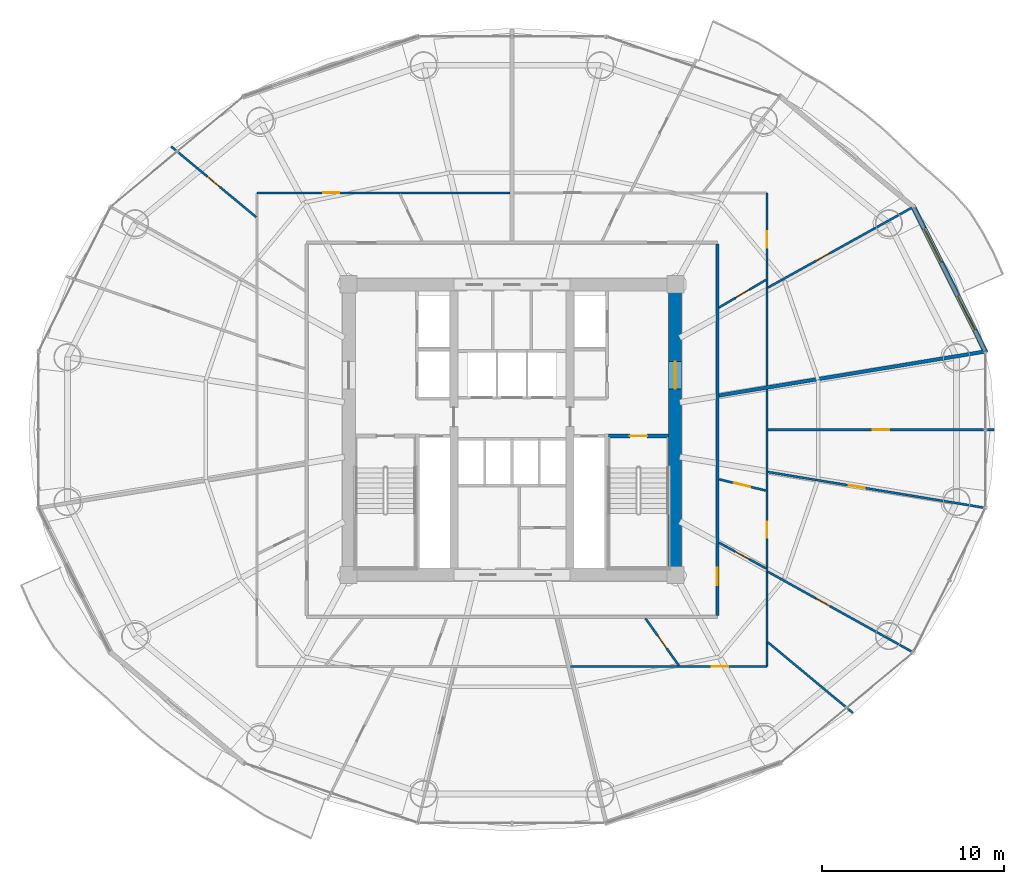
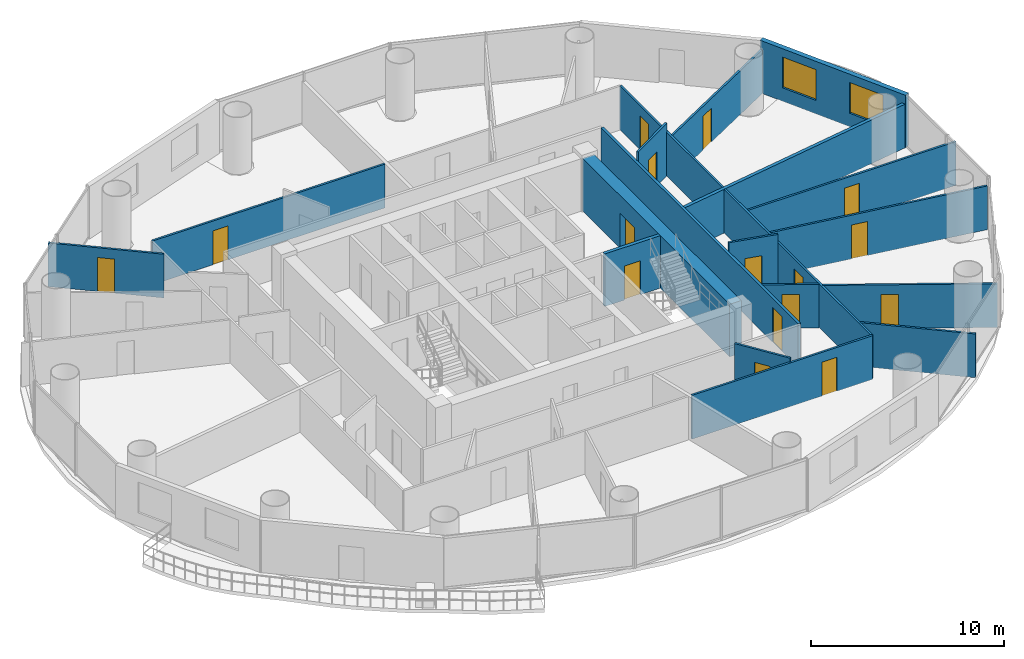
# One storey, part 24 of 29: 19 walls, 16 doors, 2 windows, 18 openings.
"""IFC4 building model written with IfcOpenShell, lengths in metres."""

import ifcopenshell
import ifcopenshell.guid

model = None  # the IFC model being written
_history = None  # IfcOwnerHistory: only IFC2X3 demands one
_inside = {}  # id of a spatial element -> (the spatial element, [elements in it])
_under = {}  # id of a project, library or spatial element -> (it, [spatial elements below it])
_declared = {}  # id of a project -> (the project, [libraries it declares])
_typed = {}  # id of a type object -> (the type object, [elements of that type])
_made_of = {}  # id of a material, layer set ... -> (it, [elements and type objects made of it])


def new_model(schema):
    """Start an empty IFC model of exactly this schema.

    Asked for "IFC4X3", IfcOpenShell would pick the latest addendum, in which some entities
    have other attributes; the version numbers below select the first issue.
    IFC2X3 requires an IfcOwnerHistory on every rooted entity: one is made here for all.
    """
    global model, _history
    if schema == "IFC4X3":
        model = ifcopenshell.file(schema_version=(4, 3, 0, 0))
    else:
        model = ifcopenshell.file(schema=schema)
    _inside.clear()
    _under.clear()
    _declared.clear()
    _typed.clear()
    _made_of.clear()
    _history = None
    if model.schema == "IFC2X3":
        org = make("IfcOrganization", Name="unknown")
        user = make(
            "IfcPersonAndOrganization",
            ThePerson=make("IfcPerson", FamilyName="unknown"),
            TheOrganization=org,
        )
        app = make(
            "IfcApplication",
            ApplicationDeveloper=org,
            Version="unknown",
            ApplicationFullName="unknown",
            ApplicationIdentifier="unknown",
        )
        _history = make(
            "IfcOwnerHistory",
            OwningUser=user,
            OwningApplication=app,
            ChangeAction="ADDED",
            CreationDate=0,
        )
    return model


def make(cls, **values):
    """One entity of the class cls with the attributes given. An attribute that is None is left unset."""
    return model.create_entity(
        cls, **{name: value for name, value in values.items() if value is not None}
    )


def rooted(cls, **values):
    """An entity with a GlobalId (a new one), such as an element, a storey or a relation."""
    return make(cls, GlobalId=ifcopenshell.guid.new(), OwnerHistory=_history, **values)


def si_unit(unit_type, name, prefix=None):
    """IfcSIUnit, for example si_unit("LENGTHUNIT", "METRE", prefix="MILLI")."""
    return make("IfcSIUnit", UnitType=unit_type, Prefix=prefix, Name=name)


def assignment(units):
    """IfcUnitAssignment: the units of a project."""
    return None if units is None else make("IfcUnitAssignment", Units=units)


def point(xyz):
    """IfcCartesianPoint."""
    return None if xyz is None else make("IfcCartesianPoint", Coordinates=xyz)


def direction(xyz):
    """IfcDirection."""
    return None if xyz is None else make("IfcDirection", DirectionRatios=xyz)


def frame(location, z_axis=None, x_axis=None):
    """IfcAxis2Placement3D, a coordinate frame: its origin and axes. An axis left out is left unset."""
    return make(
        "IfcAxis2Placement3D",
        Location=point(location),
        Axis=direction(z_axis),
        RefDirection=direction(x_axis),
    )


def frame_2d(location, x_axis=None):
    """IfcAxis2Placement2D, a coordinate frame in the plane: its origin and x axis."""
    return make(
        "IfcAxis2Placement2D", Location=point(location), RefDirection=direction(x_axis)
    )


def origin():
    """The frame at (0, 0, 0) with its axes left unset."""
    return frame((0.0, 0.0, 0.0))


def place(relative_to, where):
    """IfcLocalPlacement: puts the frame where relative to a parent placement (None: the world)."""
    return make(
        "IfcLocalPlacement", PlacementRelTo=relative_to, RelativePlacement=where
    )


def context(
    kind, dimensions, precision=None, world=None, true_north=None, identifier=None
):
    """IfcGeometricRepresentationContext, for example the 3D "Model" context."""
    return make(
        "IfcGeometricRepresentationContext",
        ContextIdentifier=identifier,
        ContextType=kind,
        CoordinateSpaceDimension=dimensions,
        Precision=precision,
        WorldCoordinateSystem=world,
        TrueNorth=true_north,
    )


def subcontext(parent, identifier, kind, view, scale=None):
    """IfcGeometricRepresentationSubContext, for example "Body" below "Model"."""
    return make(
        "IfcGeometricRepresentationSubContext",
        ContextIdentifier=identifier,
        ContextType=kind,
        ParentContext=parent,
        TargetScale=scale,
        TargetView=view,
    )


def project(units=None, contexts=None):
    """IfcProject with its units and contexts."""
    return rooted(
        "IfcProject",
        Name="project",
        RepresentationContexts=contexts,
        UnitsInContext=assignment(units),
    )


def spatial(cls, under=None, at=None, **own):
    """A site, building, storey or space (cls), placed at a placement, below another one or the project."""
    s = rooted(cls, ObjectPlacement=at, **own)
    if under is not None:
        _under.setdefault(under.id(), (under, []))[1].append(s)
    return s


def profile(cls, at=None, kind="AREA", **sizes):
    """A parametric profile (cls). Its sizes go by their IFC names, for example OverallWidth=200.0."""
    return make(cls, ProfileType=kind, Position=at, **sizes)


def rectangle(**sizes):
    """IfcRectangleProfileDef."""
    return profile("IfcRectangleProfileDef", **sizes)


def extrude(swept, where, along, depth):
    """IfcExtrudedAreaSolid: the profile swept, set in the frame where, extruded along a direction by depth."""
    return make(
        "IfcExtrudedAreaSolid",
        SweptArea=swept,
        Position=where,
        ExtrudedDirection=direction(along),
        Depth=depth,
    )


def shape(context_of_items, identifier, shape_type, items):
    """IfcShapeRepresentation: the items that make up one representation, for example the "Body"."""
    return make(
        "IfcShapeRepresentation",
        ContextOfItems=context_of_items,
        RepresentationIdentifier=identifier,
        RepresentationType=shape_type,
        Items=items,
    )


def source(mapping_origin, context_of_items, identifier, shape_type, items):
    """IfcRepresentationMap: a shape defined once, which mapped items show again and again."""
    return make(
        "IfcRepresentationMap",
        MappingOrigin=mapping_origin,
        MappedRepresentation=shape(context_of_items, identifier, shape_type, items),
    )


def transform(
    local_origin,
    x_axis=None,
    y_axis=None,
    z_axis=None,
    scale=None,
    scale2=None,
    scale3=None,
    uniform=True,
):
    """IfcCartesianTransformationOperator3D, or its non-uniform kind. x_axis, y_axis, z_axis: its Axis1, 2, 3."""
    if uniform:
        return make(
            "IfcCartesianTransformationOperator3D",
            Axis1=direction(x_axis),
            Axis2=direction(y_axis),
            LocalOrigin=point(local_origin),
            Scale=scale,
            Axis3=direction(z_axis),
        )
    return make(
        "IfcCartesianTransformationOperator3DnonUniform",
        Axis1=direction(x_axis),
        Axis2=direction(y_axis),
        LocalOrigin=point(local_origin),
        Scale=scale,
        Axis3=direction(z_axis),
        Scale2=scale2,
        Scale3=scale3,
    )


def mapped(mapping_source, mapping_target):
    """IfcMappedItem: shows the shape of a source again, moved by a transform."""
    return make(
        "IfcMappedItem", MappingSource=mapping_source, MappingTarget=mapping_target
    )


def material(Name=None, Category=None):
    """IfcMaterial."""
    return make("IfcMaterial", Name=Name, Category=Category)


def layer(
    of_material, thickness, ventilated=None, Name=None, Category=None, Priority=None
):
    """IfcMaterialLayer: one layer of a wall or slab, of a material (None: an air gap)."""
    return make(
        "IfcMaterialLayer",
        Material=of_material,
        LayerThickness=thickness,
        IsVentilated=ventilated,
        Name=Name,
        Category=Category,
        Priority=Priority,
    )


def layer_set(layers, Name=None):
    """IfcMaterialLayerSet."""
    return make("IfcMaterialLayerSet", MaterialLayers=layers, LayerSetName=Name)


def made_of(thing, what):
    """Note that an element or type object is made of a material, layer set ...; save() writes the relation."""
    if what is not None:
        _made_of.setdefault(what.id(), (what, []))[1].append(thing)
    return thing


def type_object(cls, material=None, **own):
    """A type object (cls), such as IfcWallType, which elements share."""
    return made_of(rooted(cls, **own), material)


def element(
    cls,
    number,
    at=None,
    inside=None,
    cuts=None,
    type_object=None,
    material=None,
    context=None,
    identifier="Body",
    shape_type=None,
    held_by="IfcProductDefinitionShape",
    body=None,
    shapes=None,
    **own,
):
    """One element of the class cls, such as IfcWall. Its Tag is "e" and its number.

    at: its placement. inside: the storey or other place that contains it. cuts: it is an
    opening in that element (IfcRelVoidsElement). A single representation is given by context,
    identifier, shape_type and body (its items); several are given by shapes. held_by: the class
    of the entity that holds the representations. save() writes the other relations.
    """
    e = rooted(cls, Tag="e%d" % number, ObjectPlacement=at, **own)
    if body is not None:
        shapes = [shape(context, identifier, shape_type, body)]
    if shapes is not None:
        e.Representation = make(held_by, Representations=shapes)
    if inside is not None:
        _inside.setdefault(inside.id(), (inside, []))[1].append(e)
    if cuts is not None:
        rooted(
            "IfcRelVoidsElement", RelatingBuildingElement=cuts, RelatedOpeningElement=e
        )
    if type_object is not None:
        _typed.setdefault(type_object.id(), (type_object, []))[1].append(e)
    return made_of(e, material)


def fill(opening, filler):
    """IfcRelFillsElement: the door or window that sits in an opening."""
    return rooted(
        "IfcRelFillsElement",
        RelatingOpeningElement=opening,
        RelatedBuildingElement=filler,
    )


def aggregate(whole, parts):
    """IfcRelAggregates: a whole, such as a stair, and the parts it consists of."""
    return rooted("IfcRelAggregates", RelatingObject=whole, RelatedObjects=parts)


def save(model, path):
    """Write the relations noted so far, then the file.

    IfcRelAggregates (storeys below a building ...), IfcRelContainedInSpatialStructure (elements
    in a storey), IfcRelDefinesByType, IfcRelAssociatesMaterial and IfcRelDeclares: one each for
    every whole, place, type object, material and project.
    """
    for whole, parts in _under.values():
        aggregate(whole, parts)
    for where, things in _inside.values():
        rooted(
            "IfcRelContainedInSpatialStructure",
            RelatedElements=things,
            RelatingStructure=where,
        )
    for kind, things in _typed.values():
        rooted("IfcRelDefinesByType", RelatedObjects=things, RelatingType=kind)
    for what, things in _made_of.values():
        rooted("IfcRelAssociatesMaterial", RelatedObjects=things, RelatingMaterial=what)
    for by, libraries in _declared.values():
        rooted("IfcRelDeclares", RelatingContext=by, RelatedDefinitions=libraries)
    model.write(path)


model = new_model("IFC4")

# Units and contexts
model_context = context("Model", 3, precision=1e-05, world=origin(), true_north=direction((-0.2419218956, 0.970295726276)))
body_context = subcontext(model_context, "Body", "Model", "MODEL_VIEW")
ifc_project = project(units=[si_unit("LENGTHUNIT", "METRE"), si_unit("AREAUNIT", "SQUARE_METRE"), si_unit("VOLUMEUNIT", "CUBIC_METRE"), si_unit("PLANEANGLEUNIT", "RADIAN"), si_unit("MASSUNIT", "GRAM", prefix="KILO")], contexts=[model_context])

# Site, building, storey
site_placement = place(None, origin())
site = spatial("IfcSite", under=ifc_project, at=site_placement, CompositionType="ELEMENT")
building_placement = place(site_placement, origin())
building = spatial("IfcBuilding", under=site, at=building_placement, Name="Cobrevalo Terracotta Tower", CompositionType="ELEMENT")
storey_placement = place(building_placement, frame((0.0, 0.0, 83.39990234375)))
storey = spatial("IfcBuildingStorey", under=building, at=storey_placement, Name="L21", CompositionType="ELEMENT", Elevation=83.39990234375)

# Wall, opening, door
ifc_material_1 = material(Name="Concrete C60", Category="concrete")
ifc_layer_1 = layer(ifc_material_1, 0.699951171875)
ifc_layer_set_1 = layer_set([ifc_layer_1], Name="Concrete C60")
wall_type_1 = type_object("IfcWallType", Name="Core shear wall 700 mm Concrete C60", PredefinedType="SHEAR", material=ifc_layer_set_1)
wall_1_placement = place(storey_placement, frame((46.97509765625, 19.175048828125, 0.0), z_axis=(0.0, 0.0, 1.0), x_axis=(0.0, 1.0, 0.0)))
wall_1 = element("IfcWall", 1, at=wall_1_placement, inside=storey, type_object=wall_type_1, Name="L21 east core shear wall", PredefinedType="SHEAR", context=body_context, shape_type="SweptSolid", body=[
    extrude(rectangle(XDim=15.25, YDim=0.699951171875, at=frame_2d((7.625, 0.0))), origin(), (0.0, 0.0, 1.0), 3.3251953125),
])
opening_1_placement = place(wall_1_placement, frame((9.875, 0.0, 0.0)))
opening_1 = element("IfcOpeningElement", 2, at=opening_1_placement, cuts=wall_1, Name="Opening ID-14", PredefinedType="OPENING", context=body_context, shape_type="SweptSolid", body=[
    extrude(rectangle(XDim=1.5, YDim=2.199951171875, at=frame_2d((0.75, 1.10009765625))), frame((0.0, 0.35986328125, 0.0), z_axis=(0.0, -1.0, 0.0), x_axis=(1.0, 0.0, 0.0)), (0.0, 0.0, 1.0), 0.719970703125),
])
ifc_material_2 = material(Name="Galvanized fire-rated steel", Category="steel")
door_type_1 = type_object("IfcDoorType", Name="Core cross-lobby double fire door 1500x2200 EI 90", OperationType="NOTDEFINED", PredefinedType="DOOR", material=ifc_material_2)
shared_shape_1 = source(origin(), body_context, "Body", "SweptSolid", [
    extrude(rectangle(XDim=1.5, YDim=2.199951171875, at=frame_2d((0.75, 1.10009765625))), frame((0.0, 0.02490234375, 0.0), z_axis=(0.0, -1.0, 0.0), x_axis=(1.0, 0.0, 0.0)), (0.0, 0.0, 1.0), 0.050048828125),
])
door_1_placement = place(opening_1_placement, frame((1.5, 0.0, 0.0), z_axis=(0.0, 0.0, 1.0), x_axis=(-1.0, 0.0, 0.0)))
door_1 = element("IfcDoor", 3, at=door_1_placement, inside=storey, type_object=door_type_1, Name="L21 east firefighting lobby entrance door", OperationType="DOUBLE_DOOR_SINGLE_SWING", OverallHeight=2.199951171875, OverallWidth=1.5, PredefinedType="DOOR", context=body_context, shape_type="MappedRepresentation", body=[
    mapped(shared_shape_1, transform((0.0, 0.0, 0.0), scale=1.0)),
])
fill(opening_1, door_1)

ifc_material_3 = material(Name="Gypsum board on steel stud", Category="steel")
ifc_layer_2 = layer(ifc_material_3, 0.159912109375)
ifc_layer_set_2 = layer_set([ifc_layer_2], Name="Gypsum board on steel stud")
wall_type_2 = type_object("IfcWallType", Name="Fire-rated corridor acoustic partition wall 160 mm", PredefinedType="PARTITIONING", material=ifc_layer_set_2)
wall_2_placement = place(storey_placement, frame((49.304931640625, 16.574951171875, 0.0), z_axis=(0.0, 0.0, 1.0), x_axis=(0.0, 1.0, 0.0)))
wall_2 = element("IfcWall", 4, at=wall_2_placement, inside=storey, type_object=wall_type_2, Name="L21 interior partition IW-L21-COR-E", PredefinedType="PARTITIONING", context=body_context, shape_type="SweptSolid", body=[
    extrude(rectangle(XDim=20.449951171875, YDim=0.159912109375, at=frame_2d((10.22509765625, 0.0))), origin(), (0.0, 0.0, 1.0), 2.76708984375),
])
opening_2_placement = place(wall_2_placement, frame((1.64892578125, 0.0, 0.0)))
opening_2 = element("IfcOpeningElement", 5, at=opening_2_placement, cuts=wall_2, Name="Opening ID-05", PredefinedType="OPENING", context=body_context, shape_type="SweptSolid", body=[
    extrude(rectangle(XDim=0.97998046875, YDim=2.199951171875, at=frame_2d((0.489990234375, 1.10009765625))), frame((0.0, 0.08984375, 0.0), z_axis=(0.0, -1.0, 0.0), x_axis=(1.0, 0.0, 0.0)), (0.0, 0.0, 1.0), 0.179931640625),
])
ifc_material_4 = material(Name="Solid hardwood timber", Category="wood")
door_type_2 = type_object("IfcDoorType", Name="Residence entrance fire-rated acoustic timber door 980x2200 EI 60", OperationType="NOTDEFINED", PredefinedType="DOOR", material=ifc_material_4)
shared_shape_2 = source(origin(), body_context, "Body", "SweptSolid", [
    extrude(rectangle(XDim=0.97998046875, YDim=2.199951171875, at=frame_2d((0.489990234375, 1.10009765625))), frame((0.0, 0.02490234375, 0.0), z_axis=(0.0, -1.0, 0.0), x_axis=(1.0, 0.0, 0.0)), (0.0, 0.0, 1.0), 0.050048828125),
])
door_2_placement = place(opening_2_placement, frame((0.97998046875, 0.0, 0.0), z_axis=(0.0, 0.0, 1.0), x_axis=(-1.0, 0.0, 0.0)))
door_2 = element("IfcDoor", 6, at=door_2_placement, inside=storey, type_object=door_type_2, Name="Flat L21D fire-rated apartment entrance door", OperationType="SINGLE_SWING_RIGHT", OverallHeight=2.199951171875, OverallWidth=0.97998046875, PredefinedType="DOOR", context=body_context, shape_type="MappedRepresentation", body=[
    mapped(shared_shape_2, transform((0.0, 0.0, 0.0), scale=1.0)),
])
fill(opening_2, door_2)

# Wall
ifc_material_5 = material(Name="Autoclaved aerated concrete block", Category="concrete")
ifc_layer_3 = layer(ifc_material_5, 0.199951171875)
ifc_layer_set_3 = layer_set([ifc_layer_3], Name="Autoclaved aerated concrete block")
wall_type_3 = type_object("IfcWallType", Name="Fire-rated stair, shaft & demising masonry wall 200 mm", PredefinedType="PARTITIONING", material=ifc_layer_set_3)
wall_3_placement = place(storey_placement, frame((49.386962890625, 28.681884765625, 0.0), z_axis=(0.0, 0.0, 1.0), x_axis=(0.986617934215, 0.163049231479, 0.0)))
element("IfcWall", 7, at=wall_3_placement, inside=storey, type_object=wall_type_3, Name="L21 interior partition IW-L21-DEM-1", PredefinedType="PARTITIONING", context=body_context, shape_type="SweptSolid", body=[
    extrude(rectangle(XDim=14.78466796875, YDim=0.199951171875, at=frame_2d((7.392333984375, 0.0))), origin(), (0.0, 0.0, 1.0), 2.76708984375),
])

# Wall, openings, windows
ifc_layer_4 = layer(ifc_material_5, 0.280029296875)
ifc_layer_set_4 = layer_set([ifc_layer_4], Name="Autoclaved aerated concrete block")
wall_type_4 = type_object("IfcWallType", Name="Insulated tower spandrel & pier wall 280 mm with terracotta rainscreen", PredefinedType="SOLIDWALL", material=ifc_layer_set_4)
wall_4_placement = place(storey_placement, frame((64.09521484375, 31.033935546875, 0.0), z_axis=(0.0, 0.0, 1.0), x_axis=(-0.446263788661, 0.894901464369, 0.0)))
wall_4 = element("IfcWall", 8, at=wall_4_placement, inside=storey, type_object=wall_type_4, Name="L21 terracotta rainscreen pier wall S01", PredefinedType="SOLIDWALL", context=body_context, shape_type="SweptSolid", body=[
    extrude(rectangle(XDim=9.05029296875, YDim=0.280029296875, at=frame_2d((4.525146484375, 0.0))), origin(), (0.0, 0.0, 1.0), 3.3251953125),
])
opening_3_placement = place(wall_4_placement, frame((1.3935546875, 0.0, 0.85009765625)))
opening_3 = element("IfcOpeningElement", 9, at=opening_3_placement, cuts=wall_4, Name="Opening WN-10", PredefinedType="OPENING", context=body_context, shape_type="SweptSolid", body=[
    extrude(rectangle(XDim=2.10009765625, YDim=1.949951171875, at=frame_2d((1.050048828125, 0.97509765625))), frame((0.0, 0.14990234375, 0.0), z_axis=(0.0, -1.0, 0.0), x_axis=(1.0, 0.0, 0.0)), (0.0, 0.0, 1.0), 0.300048828125),
])
opening_4_placement = place(wall_4_placement, frame((5.556640625, 0.0, 0.85009765625)))
opening_4 = element("IfcOpeningElement", 10, at=opening_4_placement, cuts=wall_4, Name="Opening WN-10", PredefinedType="OPENING", context=body_context, shape_type="SweptSolid", body=[
    extrude(rectangle(XDim=2.10009765625, YDim=1.949951171875, at=frame_2d((1.050048828125, 0.97509765625))), frame((0.0, 0.14990234375, 0.0), z_axis=(0.0, -1.0, 0.0), x_axis=(1.0, 0.0, 0.0)), (0.0, 0.0, 1.0), 0.300048828125),
])
ifc_material_6 = material(Name="Solar-control low-E double glazing", Category="glass")
window_type = type_object("IfcWindowType", Name="Wide panoramic low-E aluminium window 2100x1950", PartitioningType="SINGLE_PANEL", PredefinedType="WINDOW", material=ifc_material_6)
shared_shape_3 = source(origin(), body_context, "Body", "SweptSolid", [
    extrude(rectangle(XDim=2.10009765625, YDim=1.949951171875, at=frame_2d((1.050048828125, 0.97509765625))), frame((0.0, 0.030029296875, 0.0), z_axis=(0.0, -1.0, 0.0), x_axis=(1.0, 0.0, 0.0)), (0.0, 0.0, 1.0), 0.06005859375),
])
window_1_placement = place(opening_3_placement, origin())
window_1 = element("IfcWindow", 11, at=window_1_placement, inside=storey, type_object=window_type, Name="L21 suite window S01A", OverallHeight=1.949951171875, OverallWidth=2.10009765625, PartitioningType="SINGLE_PANEL", PredefinedType="WINDOW", context=body_context, shape_type="MappedRepresentation", body=[
    mapped(shared_shape_3, transform((0.0, 0.0, 0.0), scale=1.0)),
])
fill(opening_3, window_1)
window_2_placement = place(opening_4_placement, origin())
window_2 = element("IfcWindow", 12, at=window_2_placement, inside=storey, type_object=window_type, Name="L21 suite window S01B", OverallHeight=1.949951171875, OverallWidth=2.10009765625, PartitioningType="SINGLE_PANEL", PredefinedType="WINDOW", context=body_context, shape_type="MappedRepresentation", body=[
    mapped(shared_shape_3, transform((0.0, 0.0, 0.0), scale=1.0)),
])
fill(opening_4, window_2)

# Wall, opening, door
ifc_layer_5 = layer(ifc_material_3, 0.1201171875)
ifc_layer_set_5 = layer_set([ifc_layer_5], Name="Gypsum board on steel stud")
wall_type_5 = type_object("IfcWallType", Name="Residential internal acoustic stud partition 120 mm", PredefinedType="PARTITIONING", material=ifc_layer_set_5)
wall_5_placement = place(storey_placement, frame((52.034912109375, 39.8349609375, 0.0), z_axis=(0.0, 0.0, 1.0), x_axis=(0.0, -1.0, 0.0)))
wall_5 = element("IfcWall", 13, at=wall_5_placement, inside=storey, type_object=wall_type_5, Name="L21 interior partition IW-L21-U1-RING1_0", PredefinedType="PARTITIONING", context=body_context, shape_type="SweptSolid", body=[
    extrude(rectangle(XDim=10.613525390625, YDim=0.1201171875, at=frame_2d((5.306640625, 0.0))), origin(), (0.0, 0.0, 1.0), 2.76708984375),
])
opening_5_placement = place(wall_5_placement, frame((2.107421875, 0.0, 0.0)))
opening_5 = element("IfcOpeningElement", 14, at=opening_5_placement, cuts=wall_5, Name="Opening ID-12", PredefinedType="OPENING", context=body_context, shape_type="SweptSolid", body=[
    extrude(rectangle(XDim=0.89990234375, YDim=2.14990234375, at=frame_2d((0.449951171875, 1.074951171875))), frame((0.0, 0.070068359375, 0.0), z_axis=(0.0, -1.0, 0.0), x_axis=(1.0, 0.0, 0.0)), (0.0, 0.0, 1.0), 0.14013671875),
])
ifc_material_7 = material(Name="Engineered timber", Category="wood")
door_type_3 = type_object("IfcDoorType", Name="Internal residence & suite timber door 900x2150", OperationType="NOTDEFINED", PredefinedType="DOOR", material=ifc_material_7)
shared_shape_4 = source(origin(), body_context, "Body", "SweptSolid", [
    extrude(rectangle(XDim=0.89990234375, YDim=2.14990234375, at=frame_2d((0.449951171875, 1.074951171875))), frame((0.0, 0.02490234375, 0.0), z_axis=(0.0, -1.0, 0.0), x_axis=(1.0, 0.0, 0.0)), (0.0, 0.0, 1.0), 0.050048828125),
])
door_3_placement = place(opening_5_placement, origin())
door_3 = element("IfcDoor", 15, at=door_3_placement, inside=storey, type_object=door_type_3, Name="Flat L21A Master Bedroom internal door", OperationType="SINGLE_SWING_RIGHT", OverallHeight=2.14990234375, OverallWidth=0.89990234375, PredefinedType="DOOR", context=body_context, shape_type="MappedRepresentation", body=[
    mapped(shared_shape_4, transform((0.0, 0.0, 0.0), scale=1.0)),
])
fill(opening_5, door_3)

wall_6_placement = place(storey_placement, frame((52.089111328125, 34.62158203125, 0.0), z_axis=(0.0, 0.0, 1.0), x_axis=(0.874324904351, 0.485341077626, 0.0)))
wall_6 = element("IfcWall", 16, at=wall_6_placement, inside=storey, type_object=wall_type_5, Name="L21 interior partition IW-L21-U1-ORAD1", PredefinedType="PARTITIONING", context=body_context, shape_type="SweptSolid", body=[
    extrude(rectangle(XDim=9.065673828125, YDim=0.1201171875, at=frame_2d((4.53271484375, 0.0))), origin(), (0.0, 0.0, 1.0), 2.76708984375),
])
opening_6_placement = place(wall_6_placement, frame((3.015625, 0.0, 0.0)))
opening_6 = element("IfcOpeningElement", 17, at=opening_6_placement, cuts=wall_6, Name="Opening ID-12", PredefinedType="OPENING", context=body_context, shape_type="SweptSolid", body=[
    extrude(rectangle(XDim=0.89990234375, YDim=2.14990234375, at=frame_2d((0.449951171875, 1.074951171875))), frame((0.0, 0.070068359375, 0.0), z_axis=(0.0, -1.0, 0.0), x_axis=(1.0, 0.0, 0.0)), (0.0, 0.0, 1.0), 0.14013671875),
])
door_4_placement = place(opening_6_placement, frame((0.89990234375, 0.0, 0.0), z_axis=(0.0, 0.0, 1.0), x_axis=(-1.0, 0.0, 0.0)))
door_4 = element("IfcDoor", 18, at=door_4_placement, inside=storey, type_object=door_type_3, Name="Flat L21A Living and Dining Room internal door", OperationType="SINGLE_SWING_RIGHT", OverallHeight=2.14990234375, OverallWidth=0.89990234375, PredefinedType="DOOR", context=body_context, shape_type="MappedRepresentation", body=[
    mapped(shared_shape_4, transform((0.0, 0.0, 0.0), scale=1.0)),
])
fill(opening_6, door_4)

wall_7_placement = place(storey_placement, frame((49.38671875, 33.516845703125, 0.0), z_axis=(0.0, 0.0, 1.0), x_axis=(0.861344081849, 0.508022019862, 0.0)))
wall_7 = element("IfcWall", 19, at=wall_7_placement, inside=storey, type_object=wall_type_5, Name="L21 interior partition IW-L21-U1-IRAD1", PredefinedType="PARTITIONING", context=body_context, shape_type="SweptSolid", body=[
    extrude(rectangle(XDim=3.0126953125, YDim=0.1201171875, at=frame_2d((1.50634765625, 0.0))), origin(), (0.0, 0.0, 1.0), 3.3251953125),
])
opening_7_placement = place(wall_7_placement, frame((1.076416015625, 0.0, 0.0)))
opening_7 = element("IfcOpeningElement", 20, at=opening_7_placement, cuts=wall_7, Name="Opening ID-19", PredefinedType="OPENING", context=body_context, shape_type="SweptSolid", body=[
    extrude(rectangle(XDim=0.860107421875, YDim=2.14990234375, at=frame_2d((0.43017578125, 1.074951171875))), frame((0.0, 0.070068359375, 0.0), z_axis=(0.0, -1.0, 0.0), x_axis=(1.0, 0.0, 0.0)), (0.0, 0.0, 1.0), 0.14013671875),
])
ifc_material_8 = material(Name="Moisture-sealed timber", Category="wood")
door_type_4 = type_object("IfcDoorType", Name="Suite bathroom internal timber door 860x2150", OperationType="NOTDEFINED", PredefinedType="DOOR", material=ifc_material_8)
shared_shape_5 = source(origin(), body_context, "Body", "SweptSolid", [
    extrude(rectangle(XDim=0.860107421875, YDim=2.14990234375, at=frame_2d((0.43017578125, 1.074951171875))), frame((0.0, 0.02490234375, 0.0), z_axis=(0.0, -1.0, 0.0), x_axis=(1.0, 0.0, 0.0)), (0.0, 0.0, 1.0), 0.050048828125),
])
door_5_placement = place(opening_7_placement, frame((0.860107421875, 0.0, 0.0), z_axis=(0.0, 0.0, 1.0), x_axis=(-1.0, 0.0, 0.0)))
door_5 = element("IfcDoor", 21, at=door_5_placement, inside=storey, type_object=door_type_4, Name="Flat L21A Primary Bathroom internal door", OperationType="SINGLE_SWING_LEFT", OverallHeight=2.14990234375, OverallWidth=0.860107421875, PredefinedType="DOOR", context=body_context, shape_type="MappedRepresentation", body=[
    mapped(shared_shape_5, transform((0.0, 0.0, 0.0), scale=1.0)),
])
fill(opening_7, door_5)

wall_8_placement = place(storey_placement, frame((23.965087890625, 39.8349609375, 0.0), z_axis=(0.0, 0.0, 1.0), x_axis=(1.0, 0.0, 0.0)))
wall_8 = element("IfcWall", 22, at=wall_8_placement, inside=storey, type_object=wall_type_5, Name="L21 interior partition IW-L21-U2-RING1_0", PredefinedType="PARTITIONING", context=body_context, shape_type="SweptSolid", body=[
    extrude(rectangle(XDim=13.932861328125, YDim=0.1201171875, at=frame_2d((6.96630859375, 0.0))), origin(), (0.0, 0.0, 1.0), 2.76708984375),
])
opening_8_placement = place(wall_8_placement, frame((3.635986328125, 0.0, 0.0)))
opening_8 = element("IfcOpeningElement", 23, at=opening_8_placement, cuts=wall_8, Name="Opening ID-12", PredefinedType="OPENING", context=body_context, shape_type="SweptSolid", body=[
    extrude(rectangle(XDim=0.89990234375, YDim=2.14990234375, at=frame_2d((0.449951171875, 1.074951171875))), frame((0.0, 0.070068359375, 0.0), z_axis=(0.0, -1.0, 0.0), x_axis=(1.0, 0.0, 0.0)), (0.0, 0.0, 1.0), 0.14013671875),
])
door_6_placement = place(opening_8_placement, origin())
door_6 = element("IfcDoor", 24, at=door_6_placement, inside=storey, type_object=door_type_3, Name="Flat L21B Penthouse Living and Dining Room internal door", OperationType="SINGLE_SWING_LEFT", OverallHeight=2.14990234375, OverallWidth=0.89990234375, PredefinedType="DOOR", context=body_context, shape_type="MappedRepresentation", body=[
    mapped(shared_shape_4, transform((0.0, 0.0, 0.0), scale=1.0)),
])
fill(opening_8, door_6)

wall_9_placement = place(storey_placement, frame((23.917236328125, 38.500244140625, 0.0), z_axis=(0.0, 0.0, 1.0), x_axis=(-0.769161827891, 0.63905405289, 0.0)))
wall_9 = element("IfcWall", 25, at=wall_9_placement, inside=storey, type_object=wall_type_5, Name="L21 interior partition IW-L21-U2-ORAD1", PredefinedType="PARTITIONING", context=body_context, shape_type="SweptSolid", body=[
    extrude(rectangle(XDim=6.07958984375, YDim=0.1201171875, at=frame_2d((3.039794921875, 0.0))), origin(), (0.0, 0.0, 1.0), 2.76708984375),
])
opening_9_placement = place(wall_9_placement, frame((2.58984375, 0.0, 0.0)))
opening_9 = element("IfcOpeningElement", 26, at=opening_9_placement, cuts=wall_9, Name="Opening ID-12", PredefinedType="OPENING", context=body_context, shape_type="SweptSolid", body=[
    extrude(rectangle(XDim=0.89990234375, YDim=2.14990234375, at=frame_2d((0.449951171875, 1.074951171875))), frame((0.0, 0.070068359375, 0.0), z_axis=(0.0, -1.0, 0.0), x_axis=(1.0, 0.0, 0.0)), (0.0, 0.0, 1.0), 0.14013671875),
])
door_7_placement = place(opening_9_placement, origin())
door_7 = element("IfcDoor", 27, at=door_7_placement, inside=storey, type_object=door_type_3, Name="Flat L21B Master Bedroom internal door", OperationType="SINGLE_SWING_RIGHT", OverallHeight=2.14990234375, OverallWidth=0.89990234375, PredefinedType="DOOR", context=body_context, shape_type="MappedRepresentation", body=[
    mapped(shared_shape_4, transform((0.0, 0.0, 0.0), scale=1.0)),
])
fill(opening_9, door_7)

wall_10_placement = place(storey_placement, frame((52.034912109375, 29.017333984375, 0.0), z_axis=(0.0, 0.0, 1.0), x_axis=(0.0, -1.0, 0.0)))
wall_10 = element("IfcWall", 28, at=wall_10_placement, inside=storey, type_object=wall_type_5, Name="L21 interior partition IW-L21-U4-RING0_0", PredefinedType="PARTITIONING", context=body_context, shape_type="SweptSolid", body=[
    extrude(rectangle(XDim=15.25244140625, YDim=0.1201171875, at=frame_2d((7.626220703125, 0.0))), origin(), (0.0, 0.0, 1.0), 2.76708984375),
])
opening_10_placement = place(wall_10_placement, frame((7.2783203125, 0.0, 0.0)))
opening_10 = element("IfcOpeningElement", 29, at=opening_10_placement, cuts=wall_10, Name="Opening ID-12", PredefinedType="OPENING", context=body_context, shape_type="SweptSolid", body=[
    extrude(rectangle(XDim=0.89990234375, YDim=2.14990234375, at=frame_2d((0.449951171875, 1.074951171875))), frame((0.0, 0.070068359375, 0.0), z_axis=(0.0, -1.0, 0.0), x_axis=(1.0, 0.0, 0.0)), (0.0, 0.0, 1.0), 0.14013671875),
])
door_8_placement = place(opening_10_placement, origin())
door_8 = element("IfcDoor", 30, at=door_8_placement, inside=storey, type_object=door_type_3, Name="Flat L21D Penthouse Family Lounge internal door", OperationType="SINGLE_SWING_RIGHT", OverallHeight=2.14990234375, OverallWidth=0.89990234375, PredefinedType="DOOR", context=body_context, shape_type="MappedRepresentation", body=[
    mapped(shared_shape_4, transform((0.0, 0.0, 0.0), scale=1.0)),
])
fill(opening_10, door_8)

wall_11_placement = place(storey_placement, frame((52.034912109375, 13.764892578125, 0.0), z_axis=(0.0, 0.0, 1.0), x_axis=(-1.0, 0.0, 0.0)))
wall_11 = element("IfcWall", 31, at=wall_11_placement, inside=storey, type_object=wall_type_5, Name="L21 interior partition IW-L21-U4-RING1_0", PredefinedType="PARTITIONING", context=body_context, shape_type="SweptSolid", body=[
    extrude(rectangle(XDim=10.812255859375, YDim=0.1201171875, at=frame_2d((5.40625, 0.0))), origin(), (0.0, 0.0, 1.0), 2.76708984375),
])
opening_11_placement = place(wall_11_placement, frame((2.14453125, 0.0, 0.0)))
opening_11 = element("IfcOpeningElement", 32, at=opening_11_placement, cuts=wall_11, Name="Opening ID-12", PredefinedType="OPENING", context=body_context, shape_type="SweptSolid", body=[
    extrude(rectangle(XDim=0.89990234375, YDim=2.14990234375, at=frame_2d((0.449951171875, 1.074951171875))), frame((0.0, 0.070068359375, 0.0), z_axis=(0.0, -1.0, 0.0), x_axis=(1.0, 0.0, 0.0)), (0.0, 0.0, 1.0), 0.14013671875),
])
door_9_placement = place(opening_11_placement, origin())
door_9 = element("IfcDoor", 33, at=door_9_placement, inside=storey, type_object=door_type_3, Name="Flat L21D Penthouse Living and Dining Room internal door", OperationType="SINGLE_SWING_RIGHT", OverallHeight=2.14990234375, OverallWidth=0.89990234375, PredefinedType="DOOR", context=body_context, shape_type="MappedRepresentation", body=[
    mapped(shared_shape_4, transform((0.0, 0.0, 0.0), scale=1.0)),
])
fill(opening_11, door_9)

# Wall
wall_12_placement = place(storey_placement, frame((52.082763671875, 15.099609375, 0.0), z_axis=(0.0, 0.0, 1.0), x_axis=(0.769161827891, -0.63905405289, 0.0)))
element("IfcWall", 34, at=wall_12_placement, inside=storey, type_object=wall_type_5, Name="L21 interior partition IW-L21-U4-ORAD1", PredefinedType="PARTITIONING", context=body_context, shape_type="SweptSolid", body=[
    extrude(rectangle(XDim=6.07958984375, YDim=0.1201171875, at=frame_2d((3.039794921875, 0.0))), origin(), (0.0, 0.0, 1.0), 2.76708984375),
])

# Wall, opening, door
wall_13_placement = place(storey_placement, frame((52.089111328125, 18.978515625, 0.0), z_axis=(0.0, 0.0, 1.0), x_axis=(0.874313476423, -0.485361664066, 0.0)))
wall_13 = element("IfcWall", 35, at=wall_13_placement, inside=storey, type_object=wall_type_5, Name="L21 interior partition IW-L21-U4-ORAD2M1", PredefinedType="PARTITIONING", context=body_context, shape_type="SweptSolid", body=[
    extrude(rectangle(XDim=9.065673828125, YDim=0.1201171875, at=frame_2d((4.53271484375, 0.0))), origin(), (0.0, 0.0, 1.0), 2.76708984375),
])
opening_12_placement = place(wall_13_placement, frame((3.02001953125, 0.0, 0.0)))
opening_12 = element("IfcOpeningElement", 36, at=opening_12_placement, cuts=wall_13, Name="Opening ID-12", PredefinedType="OPENING", context=body_context, shape_type="SweptSolid", body=[
    extrude(rectangle(XDim=0.89990234375, YDim=2.14990234375, at=frame_2d((0.449951171875, 1.074951171875))), frame((0.0, 0.070068359375, 0.0), z_axis=(0.0, -1.0, 0.0), x_axis=(1.0, 0.0, 0.0)), (0.0, 0.0, 1.0), 0.14013671875),
])
door_10_placement = place(opening_12_placement, frame((0.89990234375, 0.0, 0.0), z_axis=(0.0, 0.0, 1.0), x_axis=(-1.0, 0.0, 0.0)))
door_10 = element("IfcDoor", 37, at=door_10_placement, inside=storey, type_object=door_type_3, Name="Flat L21D Master Bedroom internal door", OperationType="SINGLE_SWING_RIGHT", OverallHeight=2.14990234375, OverallWidth=0.89990234375, PredefinedType="DOOR", context=body_context, shape_type="MappedRepresentation", body=[
    mapped(shared_shape_4, transform((0.0, 0.0, 0.0), scale=1.0)),
])
fill(opening_12, door_10)

wall_14_placement = place(storey_placement, frame((52.09619140625, 24.470458984375, 0.0), z_axis=(0.0, 0.0, 1.0), x_axis=(0.986618264768, -0.163047231274, 0.0)))
wall_14 = element("IfcWall", 38, at=wall_14_placement, inside=storey, type_object=wall_type_5, Name="L21 interior partition IW-L21-U4-ORAD2", PredefinedType="PARTITIONING", context=body_context, shape_type="SweptSolid", body=[
    extrude(rectangle(XDim=12.038818359375, YDim=0.1201171875, at=frame_2d((6.01953125, 0.0))), origin(), (0.0, 0.0, 1.0), 2.76708984375),
])
opening_13_placement = place(wall_14_placement, frame((4.495849609375, 0.0, 0.0)))
opening_13 = element("IfcOpeningElement", 39, at=opening_13_placement, cuts=wall_14, Name="Opening ID-12", PredefinedType="OPENING", context=body_context, shape_type="SweptSolid", body=[
    extrude(rectangle(XDim=0.89990234375, YDim=2.14990234375, at=frame_2d((0.449951171875, 1.074951171875))), frame((0.0, 0.070068359375, 0.0), z_axis=(0.0, -1.0, 0.0), x_axis=(1.0, 0.0, 0.0)), (0.0, 0.0, 1.0), 0.14013671875),
])
door_11_placement = place(opening_13_placement, origin())
door_11 = element("IfcDoor", 40, at=door_11_placement, inside=storey, type_object=door_type_3, Name="Flat L21D Principal Guest Bedroom internal door", OperationType="SINGLE_SWING_LEFT", OverallHeight=2.14990234375, OverallWidth=0.89990234375, PredefinedType="DOOR", context=body_context, shape_type="MappedRepresentation", body=[
    mapped(shared_shape_4, transform((0.0, 0.0, 0.0), scale=1.0)),
])
fill(opening_13, door_11)

wall_15_placement = place(storey_placement, frame((52.096923828125, 26.800048828125, 0.0), z_axis=(0.0, 0.0, 1.0), x_axis=(1.0, 0.0, 0.0)))
wall_15 = element("IfcWall", 41, at=wall_15_placement, inside=storey, type_object=wall_type_5, Name="L21 interior partition IW-L21-U4-ORAD3M1", PredefinedType="PARTITIONING", context=body_context, shape_type="SweptSolid", body=[
    extrude(rectangle(XDim=12.443115234375, YDim=0.1201171875, at=frame_2d((6.2216796875, 0.0))), origin(), (0.0, 0.0, 1.0), 2.76708984375),
])
opening_14_placement = place(wall_15_placement, frame((5.771484375, 0.0, 0.0)))
opening_14 = element("IfcOpeningElement", 42, at=opening_14_placement, cuts=wall_15, Name="Opening ID-12", PredefinedType="OPENING", context=body_context, shape_type="SweptSolid", body=[
    extrude(rectangle(XDim=0.89990234375, YDim=2.14990234375, at=frame_2d((0.449951171875, 1.074951171875))), frame((0.0, 0.070068359375, 0.0), z_axis=(0.0, -1.0, 0.0), x_axis=(1.0, 0.0, 0.0)), (0.0, 0.0, 1.0), 0.14013671875),
])
door_12_placement = place(opening_14_placement, origin())
door_12 = element("IfcDoor", 43, at=door_12_placement, inside=storey, type_object=door_type_3, Name="Flat L21D Penthouse Family Lounge internal door", OperationType="SINGLE_SWING_RIGHT", OverallHeight=2.14990234375, OverallWidth=0.89990234375, PredefinedType="DOOR", context=body_context, shape_type="MappedRepresentation", body=[
    mapped(shared_shape_4, transform((0.0, 0.0, 0.0), scale=1.0)),
])
fill(opening_14, door_12)

wall_16_placement = place(storey_placement, frame((45.345458984375, 16.4150390625, 0.0), z_axis=(0.0, 0.0, 1.0), x_axis=(0.577474693199, -0.816408585645, 0.0)))
wall_16 = element("IfcWall", 44, at=wall_16_placement, inside=storey, type_object=wall_type_5, Name="L21 interior partition IW-L21-U4-IRAD1", PredefinedType="PARTITIONING", context=body_context, shape_type="SweptSolid", body=[
    extrude(rectangle(XDim=3.183837890625, YDim=0.1201171875, at=frame_2d((1.591796875, 0.0))), origin(), (0.0, 0.0, 1.0), 3.004150390625),
])
opening_15_placement = place(wall_16_placement, frame((1.162109375, 0.0, 0.0)))
opening_15 = element("IfcOpeningElement", 45, at=opening_15_placement, cuts=wall_16, Name="Opening ID-19", PredefinedType="OPENING", context=body_context, shape_type="SweptSolid", body=[
    extrude(rectangle(XDim=0.860107421875, YDim=2.14990234375, at=frame_2d((0.43017578125, 1.074951171875))), frame((0.0, 0.070068359375, 0.0), z_axis=(0.0, -1.0, 0.0), x_axis=(1.0, 0.0, 0.0)), (0.0, 0.0, 1.0), 0.14013671875),
])
door_13_placement = place(opening_15_placement, frame((0.860107421875, 0.0, 0.0), z_axis=(0.0, 0.0, 1.0), x_axis=(-1.0, 0.0, 0.0)))
door_13 = element("IfcDoor", 46, at=door_13_placement, inside=storey, type_object=door_type_4, Name="Flat L21D Primary Bathroom internal door", OperationType="SINGLE_SWING_LEFT", OverallHeight=2.14990234375, OverallWidth=0.860107421875, PredefinedType="DOOR", context=body_context, shape_type="MappedRepresentation", body=[
    mapped(shared_shape_5, transform((0.0, 0.0, 0.0), scale=1.0)),
])
fill(opening_15, door_13)

wall_17_placement = place(storey_placement, frame((49.38671875, 20.58349609375, 0.0), z_axis=(0.0, 0.0, 1.0), x_axis=(0.877718703033, -0.479176249773, 0.0)))
wall_17 = element("IfcWall", 47, at=wall_17_placement, inside=storey, type_object=wall_type_5, Name="L21 interior partition IW-L21-U4-IRAD2", PredefinedType="PARTITIONING", context=body_context, shape_type="SweptSolid", body=[
    extrude(rectangle(XDim=2.955078125, YDim=0.1201171875, at=frame_2d((1.4775390625, 0.0))), origin(), (0.0, 0.0, 1.0), 2.76708984375),
])
opening_16_placement = place(wall_17_placement, frame((1.027587890625, 0.0, 0.0)))
opening_16 = element("IfcOpeningElement", 48, at=opening_16_placement, cuts=wall_17, Name="Opening ID-12", PredefinedType="OPENING", context=body_context, shape_type="SweptSolid", body=[
    extrude(rectangle(XDim=0.89990234375, YDim=2.14990234375, at=frame_2d((0.449951171875, 1.074951171875))), frame((0.0, 0.070068359375, 0.0), z_axis=(0.0, -1.0, 0.0), x_axis=(1.0, 0.0, 0.0)), (0.0, 0.0, 1.0), 0.14013671875),
])
door_14_placement = place(opening_16_placement, origin())
door_14 = element("IfcDoor", 49, at=door_14_placement, inside=storey, type_object=door_type_3, Name="Flat L21D Kitchen internal door", OperationType="SINGLE_SWING_LEFT", OverallHeight=2.14990234375, OverallWidth=0.89990234375, PredefinedType="DOOR", context=body_context, shape_type="MappedRepresentation", body=[
    mapped(shared_shape_4, transform((0.0, 0.0, 0.0), scale=1.0)),
])
fill(opening_16, door_14)

wall_18_placement = place(storey_placement, frame((49.386962890625, 24.06884765625, 0.0), z_axis=(0.0, 0.0, 1.0), x_axis=(0.972423933179, -0.233220269661, 0.0)))
wall_18 = element("IfcWall", 50, at=wall_18_placement, inside=storey, type_object=wall_type_5, Name="L21 interior partition IW-L21-U4-IRAD3", PredefinedType="PARTITIONING", context=body_context, shape_type="SweptSolid", body=[
    extrude(rectangle(XDim=2.6611328125, YDim=0.1201171875, at=frame_2d((1.33056640625, 0.0))), origin(), (0.0, 0.0, 1.0), 3.3251953125),
])
opening_17_placement = place(wall_18_placement, frame((0.880615234375, 0.0, 0.0)))
opening_17 = element("IfcOpeningElement", 51, at=opening_17_placement, cuts=wall_18, Name="Opening ID-12", PredefinedType="OPENING", context=body_context, shape_type="SweptSolid", body=[
    extrude(rectangle(XDim=0.89990234375, YDim=2.14990234375, at=frame_2d((0.449951171875, 1.074951171875))), frame((0.0, 0.070068359375, 0.0), z_axis=(0.0, -1.0, 0.0), x_axis=(1.0, 0.0, 0.0)), (0.0, 0.0, 1.0), 0.14013671875),
])
door_15_placement = place(opening_17_placement, origin())
door_15 = element("IfcDoor", 52, at=door_15_placement, inside=storey, type_object=door_type_3, Name="Flat L21D Private Wellness Room internal door", OperationType="SINGLE_SWING_LEFT", OverallHeight=2.14990234375, OverallWidth=0.89990234375, PredefinedType="DOOR", context=body_context, shape_type="MappedRepresentation", body=[
    mapped(shared_shape_4, transform((0.0, 0.0, 0.0), scale=1.0)),
])
fill(opening_17, door_15)

ifc_material_9 = material(Name="Concrete C50", Category="concrete")
ifc_layer_6 = layer(ifc_material_9, 0.199951171875)
ifc_layer_set_6 = layer_set([ifc_layer_6], Name="Concrete C50")
wall_type_6 = type_object("IfcWallType", Name="Structural core & podium stair-shaft RC wall 200 mm Concrete C50", PredefinedType="SOLIDWALL", material=ifc_layer_set_6)
wall_19_placement = place(storey_placement, frame((43.304931640625, 26.449951171875, 0.0), z_axis=(0.0, 0.0, 1.0), x_axis=(1.0, 0.0, 0.0)))
wall_19 = element("IfcWall", 53, at=wall_19_placement, inside=storey, type_object=wall_type_6, Name="L21 ST-2 north structural shaft wall", PredefinedType="SOLIDWALL", context=body_context, shape_type="SweptSolid", body=[
    extrude(rectangle(XDim=3.320068359375, YDim=0.199951171875, at=frame_2d((1.66015625, 0.0))), origin(), (0.0, 0.0, 1.0), 3.3251953125),
])
opening_18_placement = place(wall_19_placement, frame((1.18505859375, 0.0, 0.0)))
opening_18 = element("IfcOpeningElement", 54, at=opening_18_placement, cuts=wall_19, Name="Opening ID-04", PredefinedType="OPENING", context=body_context, shape_type="SweptSolid", body=[
    extrude(rectangle(XDim=0.949951171875, YDim=2.14990234375, at=frame_2d((0.47509765625, 1.074951171875))), frame((0.0, 0.10986328125, 0.0), z_axis=(0.0, -1.0, 0.0), x_axis=(1.0, 0.0, 0.0)), (0.0, 0.0, 1.0), 0.219970703125),
])
door_type_5 = type_object("IfcDoorType", Name="Stair & firefighting lobby fire door 950x2150 EI 90", OperationType="NOTDEFINED", PredefinedType="DOOR", material=ifc_material_2)
shared_shape_6 = source(origin(), body_context, "Body", "SweptSolid", [
    extrude(rectangle(XDim=0.949951171875, YDim=2.14990234375, at=frame_2d((0.47509765625, 1.074951171875))), frame((0.0, 0.02490234375, 0.0), z_axis=(0.0, -1.0, 0.0), x_axis=(1.0, 0.0, 0.0)), (0.0, 0.0, 1.0), 0.050048828125),
])
door_16_placement = place(opening_18_placement, frame((0.949951171875, 0.0, 0.0), z_axis=(0.0, 0.0, 1.0), x_axis=(-1.0, 0.0, 0.0)))
door_16 = element("IfcDoor", 55, at=door_16_placement, inside=storey, type_object=door_type_5, Name="L21 protected stair ST2 fire door", OperationType="SINGLE_SWING_RIGHT", OverallHeight=2.14990234375, OverallWidth=0.949951171875, PredefinedType="DOOR", context=body_context, shape_type="MappedRepresentation", body=[
    mapped(shared_shape_6, transform((0.0, 0.0, 0.0), scale=1.0)),
])
fill(opening_18, door_16)

save(model, "model.ifc")
